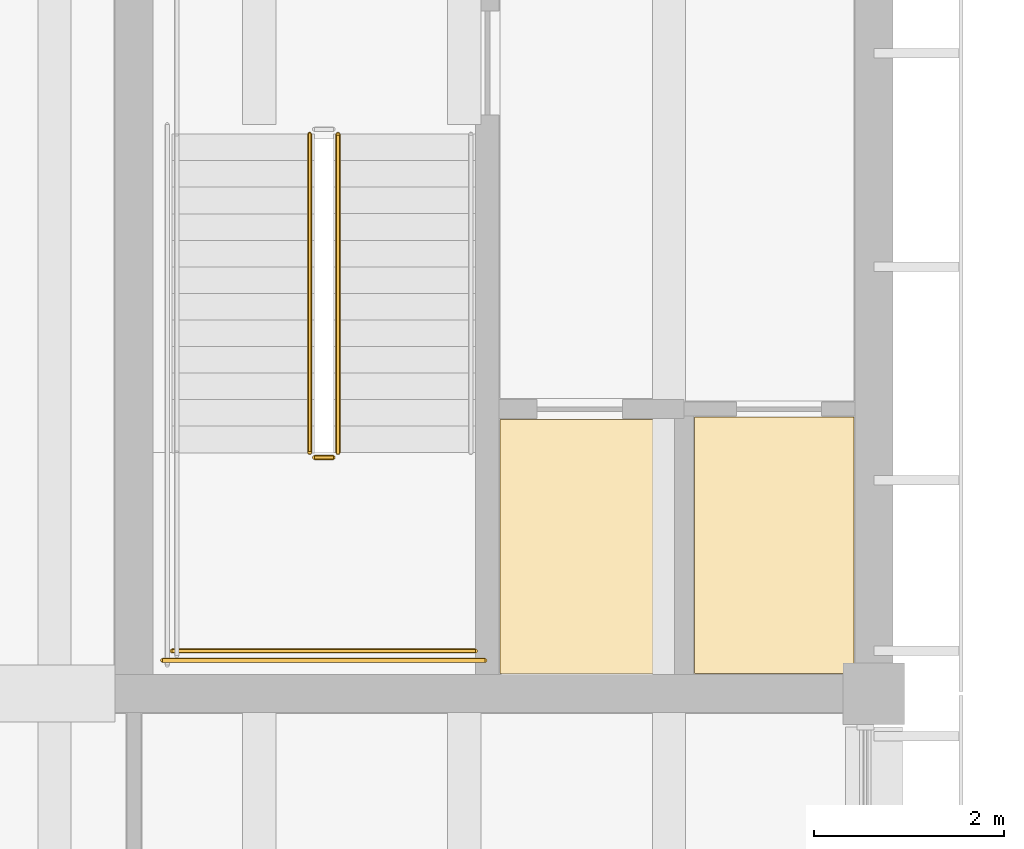
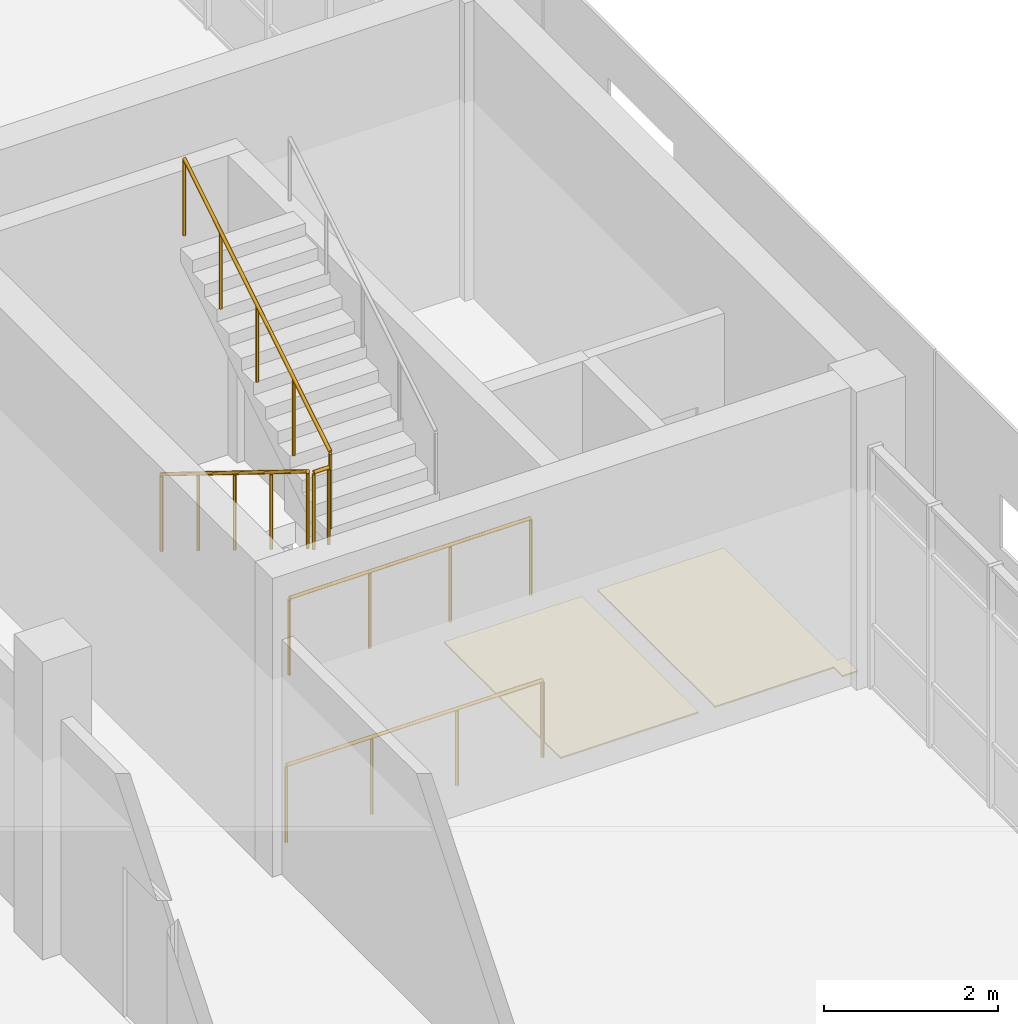
# One storey, part 77 of 92: 5 railings, 2 coverings.
"""IFC4 building model written with IfcOpenShell, lengths in metres."""

from ifc_helpers import new_model, si_unit, direction, frame, origin, origin_2d, place, context, subcontext, project, spatial, polyline, circle, outline, extrude, material, layer, layer_set, type_object, element, save


model = new_model("IFC4")

# Units and contexts
model_context = context("Model", 3, precision=1e-05, world=origin(), true_north=direction((0.0, 1.0)))
body_context = subcontext(model_context, "Body", "Model", "MODEL_VIEW")
ifc_project = project(units=[si_unit("LENGTHUNIT", "METRE"), si_unit("AREAUNIT", "SQUARE_METRE"), si_unit("VOLUMEUNIT", "CUBIC_METRE"), si_unit("PLANEANGLEUNIT", "RADIAN"), si_unit("MASSUNIT", "GRAM", prefix="KILO")], contexts=[model_context])

# Site, building, storey
site_placement = place(None, origin())
site = spatial("IfcSite", under=ifc_project, at=site_placement, CompositionType="ELEMENT")
building_placement = place(site_placement, origin())
building = spatial("IfcBuilding", under=site, at=building_placement, Name="Merrow Basin Faculty of Sciences", CompositionType="ELEMENT")
storey_placement = place(building_placement, frame((0.0, 0.0, 4.5)))
storey = spatial("IfcBuildingStorey", under=building, at=storey_placement, Name="L01", CompositionType="ELEMENT", Elevation=4.5)

# Coverings
ifc_material_1 = material(Name="Carpet tile floor")
ifc_layer_1 = layer(ifc_material_1, 0.02001953125)
ifc_layer_set_1 = layer_set([ifc_layer_1], Name="Carpet tile floor")
covering_type_1 = type_object("IfcCoveringType", Name="Carpet tile floor", PredefinedType="FLOORING", material=ifc_layer_set_1)
covering_1_placement = place(storey_placement, origin())
element("IfcCovering", 1, at=covering_1_placement, inside=storey, type_object=covering_type_1, Name="Floor finish L01-B-008", PredefinedType="FLOORING", context=body_context, shape_type="SweptSolid", body=[
    extrude(outline(polyline([(17.659912109375, 88.2099609375), (17.659912109375, 90.889892578125), (19.489990234375, 90.889892578125), (19.489990234375, 88.2099609375), (17.659912109375, 88.2099609375)])), origin(), (0.0, 0.0, 1.0), 0.02001953125),
])
ifc_material_2 = material(Name="Sealed concrete floor", Category="concrete")
ifc_layer_2 = layer(ifc_material_2, 0.02001953125)
ifc_layer_set_2 = layer_set([ifc_layer_2], Name="Sealed concrete floor")
covering_type_2 = type_object("IfcCoveringType", Name="Sealed concrete floor", PredefinedType="FLOORING", material=ifc_layer_set_2)
covering_2_placement = place(storey_placement, origin())
element("IfcCovering", 2, at=covering_2_placement, inside=storey, type_object=covering_type_2, Name="Floor finish L01-B-009", PredefinedType="FLOORING", context=body_context, shape_type="SweptSolid", body=[
    extrude(outline(polyline([(21.389892578125, 90.9150390625), (21.389892578125, 88.31494140625), (21.489990234375, 88.31494140625), (21.489990234375, 88.010009765625), (21.284912109375, 88.010009765625), (21.284912109375, 88.2099609375), (19.7099609375, 88.2099609375), (19.7099609375, 90.9150390625), (21.389892578125, 90.9150390625)])), origin(), (0.0, 0.0, 1.0), 0.02001953125),
])

# Railings
ifc_material_3 = material(Name="Steel ASTM A36", Category="steel")
railing_type = type_object("IfcRailingType", Name="Steel guard 1100", PredefinedType="GUARDRAIL", material=ifc_material_3)
railing_1_placement = place(storey_placement, frame((15.64990234375, 93.89990234375, 0.173095703125)))
element("IfcRailing", 3, at=railing_1_placement, inside=storey, type_object=railing_type, Name="L01 ST-V4-M stair guard 1", PredefinedType="GUARDRAIL", context=body_context, shape_type="SweptSolid", body=[
    extrude(circle(Radius=0.02392578125, at=origin_2d()), frame((0.0, 0.0, 1.076171875), z_axis=(0.0, -0.850606129759, 0.525803396734), x_axis=(1.0, 0.0, 0.0)), (0.0, 0.0, 1.0), 3.949951171875),
    extrude(circle(Radius=0.02099609375, at=origin_2d()), origin(), (0.0, 0.0, 1.0), 1.052001953125),
    extrude(circle(Radius=0.02099609375, at=origin_2d()), frame((0.0, -0.83984375, 0.519287109375)), (0.0, 0.0, 1.0), 1.052001953125),
    extrude(circle(Radius=0.02099609375, at=origin_2d()), frame((0.0, -1.679931640625, 1.03857421875)), (0.0, 0.0, 1.0), 1.052001953125),
    extrude(circle(Radius=0.02099609375, at=origin_2d()), frame((0.0, -2.52001953125, 1.5576171875)), (0.0, 0.0, 1.0), 1.052001953125),
    extrude(circle(Radius=0.02099609375, at=origin_2d()), frame((0.0, -3.35986328125, 2.076904296875)), (0.0, 0.0, 1.0), 1.052001953125),
])
railing_2_placement = place(storey_placement, frame((15.699951171875, 90.489990234375, 2.25)))
element("IfcRailing", 4, at=railing_2_placement, inside=storey, type_object=railing_type, Name="L01 ST-V4-M stair guard 2", PredefinedType="GUARDRAIL", context=body_context, shape_type="SweptSolid", body=[
    extrude(circle(Radius=0.02392578125, at=origin_2d()), frame((0.0, 0.0, 1.076171875), z_axis=(1.0, 0.0, 0.0), x_axis=(0.0, 1.0, 0.0)), (0.0, 0.0, 1.0), 0.199951171875),
    extrude(circle(Radius=0.02099609375, at=origin_2d()), origin(), (0.0, 0.0, 1.0), 1.052001953125),
    extrude(circle(Radius=0.02099609375, at=origin_2d()), frame((0.199951171875, 0.0, 0.0)), (0.0, 0.0, 1.0), 1.052001953125),
])
railing_3_placement = place(storey_placement, frame((14.199951171875, 88.449951171875, 2.25)))
element("IfcRailing", 5, at=railing_3_placement, inside=storey, type_object=railing_type, Name="L01 ST-V4-M stair guard 4", PredefinedType="GUARDRAIL", context=body_context, shape_type="SweptSolid", body=[
    extrude(circle(Radius=0.02392578125, at=origin_2d()), frame((0.0, 0.0, 1.076171875), z_axis=(1.0, 0.0, 0.0), x_axis=(0.0, 1.0, 0.0)), (0.0, 0.0, 1.0), 3.199951171875),
    extrude(circle(Radius=0.02099609375, at=origin_2d()), origin(), (0.0, 0.0, 1.0), 1.052001953125),
    extrude(circle(Radius=0.02099609375, at=origin_2d()), frame((1.066650390625, 0.0, 0.0)), (0.0, 0.0, 1.0), 1.052001953125),
    extrude(circle(Radius=0.02099609375, at=origin_2d()), frame((2.13330078125, 0.0, 0.0)), (0.0, 0.0, 1.0), 1.052001953125),
    extrude(circle(Radius=0.02099609375, at=origin_2d()), frame((3.199951171875, 0.0, 0.0)), (0.0, 0.0, 1.0), 1.052001953125),
])
railing_4_placement = place(storey_placement, frame((15.949951171875, 90.5400390625, 2.423095703125)))
element("IfcRailing", 6, at=railing_4_placement, inside=storey, type_object=railing_type, Name="L01 ST-V4-M stair guard 5", PredefinedType="GUARDRAIL", context=body_context, shape_type="SweptSolid", body=[
    extrude(circle(Radius=0.02392578125, at=origin_2d()), frame((0.0, 0.0, 1.076171875), z_axis=(0.0, 0.850606129759, 0.525803396734), x_axis=(-1.0, 0.0, 0.0)), (0.0, 0.0, 1.0), 3.949951171875),
    extrude(circle(Radius=0.02099609375, at=origin_2d()), origin(), (0.0, 0.0, 1.0), 1.052001953125),
    extrude(circle(Radius=0.02099609375, at=origin_2d()), frame((0.0, 0.83984375, 0.519287109375)), (0.0, 0.0, 1.0), 1.052001953125),
    extrude(circle(Radius=0.02099609375, at=origin_2d()), frame((0.0, 1.679931640625, 1.03857421875)), (0.0, 0.0, 1.0), 1.052001953125),
    extrude(circle(Radius=0.02099609375, at=origin_2d()), frame((0.0, 2.52001953125, 1.5576171875)), (0.0, 0.0, 1.0), 1.052001953125),
    extrude(circle(Radius=0.02099609375, at=origin_2d()), frame((0.0, 3.35986328125, 2.076904296875)), (0.0, 0.0, 1.0), 1.052001953125),
])
railing_5_placement = place(storey_placement, frame((14.10009765625, 88.35009765625, 0.0)))
element("IfcRailing", 7, at=railing_5_placement, inside=storey, type_object=railing_type, Name="L01 ST-V4-M stair guard 9", PredefinedType="GUARDRAIL", context=body_context, shape_type="SweptSolid", body=[
    extrude(circle(Radius=0.02392578125, at=origin_2d()), frame((0.0, 0.0, 1.076171875), z_axis=(1.0, 0.0, 0.0), x_axis=(0.0, 1.0, 0.0)), (0.0, 0.0, 1.0), 3.39990234375),
    extrude(circle(Radius=0.02099609375, at=origin_2d()), origin(), (0.0, 0.0, 1.0), 1.052001953125),
    extrude(circle(Radius=0.02099609375, at=origin_2d()), frame((1.13330078125, 0.0, 0.0)), (0.0, 0.0, 1.0), 1.052001953125),
    extrude(circle(Radius=0.02099609375, at=origin_2d()), frame((2.2666015625, 0.0, 0.0)), (0.0, 0.0, 1.0), 1.052001953125),
    extrude(circle(Radius=0.02099609375, at=origin_2d()), frame((3.39990234375, 0.0, 0.0)), (0.0, 0.0, 1.0), 1.052001953125),
])

save(model, "model.ifc")
